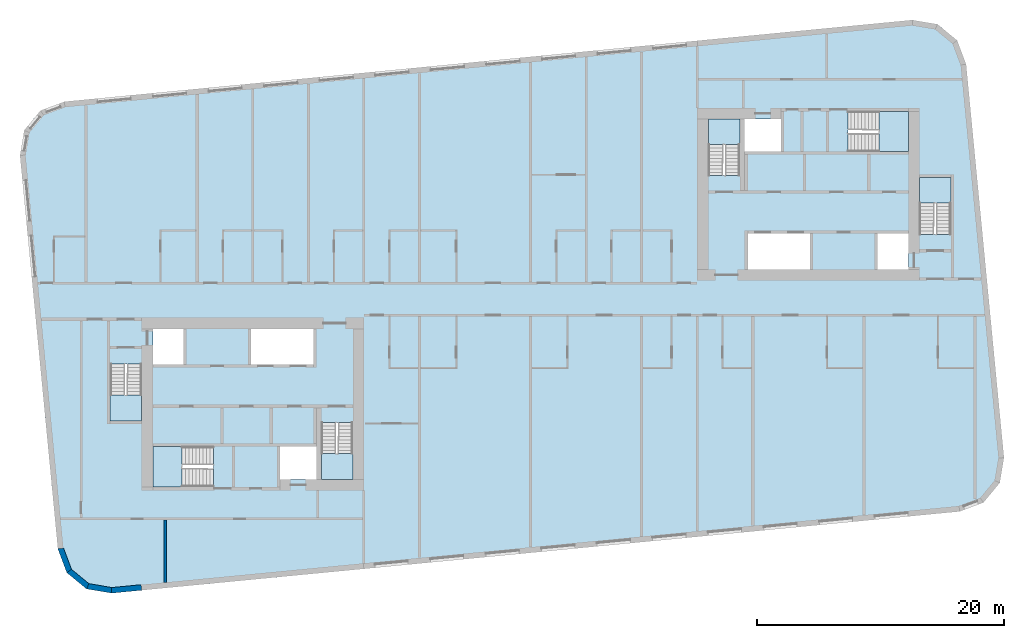
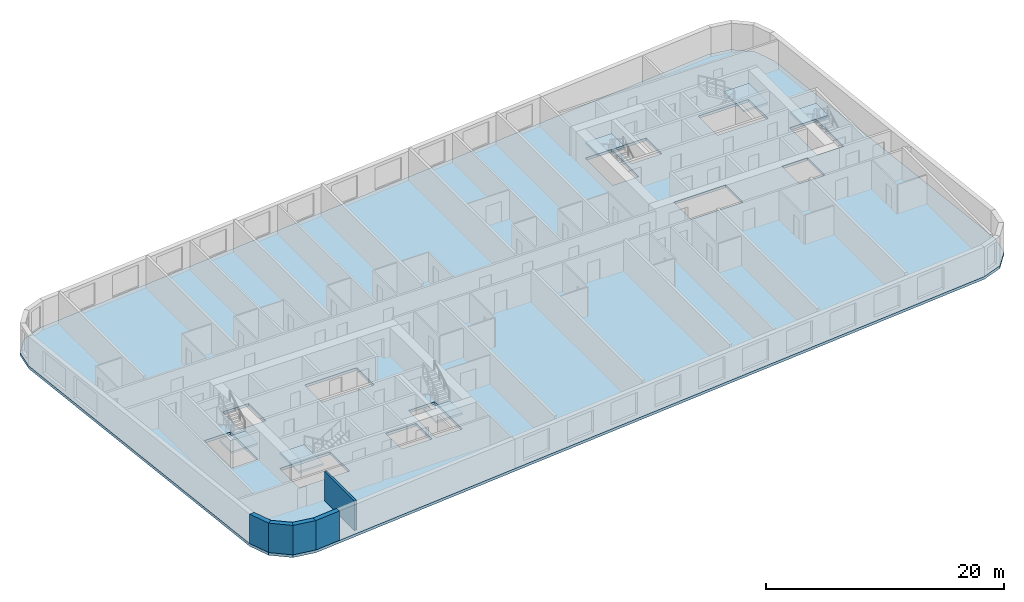
# One storey, part 1 of 11: 7 slabs, 5 walls, 6 elements without a shape of their own.
"""IFC4 building model written with IfcOpenShell, lengths in metres."""

from ifc_helpers import new_model, si_unit, direction, frame, frame_2d, origin, place, context, subcontext, project, spatial, polyline, rectangle, outline, extrude, material, layer, layer_set, type_object, element, aggregate, save


model = new_model("IFC4")

# Units and contexts
model_context = context("Model", 3, precision=1e-05, world=origin(), true_north=direction((0.0, 1.0)))
body_context = subcontext(model_context, "Body", "Model", "MODEL_VIEW")
ifc_project = project(units=[si_unit("LENGTHUNIT", "METRE"), si_unit("AREAUNIT", "SQUARE_METRE"), si_unit("VOLUMEUNIT", "CUBIC_METRE"), si_unit("PLANEANGLEUNIT", "RADIAN"), si_unit("MASSUNIT", "GRAM", prefix="KILO")], contexts=[model_context])

# Site, building, storey
site_placement = place(None, origin())
site = spatial("IfcSite", under=ifc_project, at=site_placement, CompositionType="ELEMENT")
building_placement = place(site_placement, origin())
building = spatial("IfcBuilding", under=site, at=building_placement, Name="Kajstack Hotel Tower", CompositionType="ELEMENT")
storey_placement = place(building_placement, frame((0.0, 0.0, 291.60009765625)))
storey = spatial("IfcBuildingStorey", under=building, at=storey_placement, Name="L73", CompositionType="ELEMENT", Elevation=291.60009765625)

# Slab
ifc_material_1 = material(Name="Concrete C40/50", Category="concrete")
ifc_layer_1 = layer(ifc_material_1, 0.280029296875)
ifc_layer_set_1 = layer_set([ifc_layer_1], Name="RC slab 280 C40/50 guest")
slab_type_1 = type_object("IfcSlabType", Name="RC slab 280 C40/50 guest", PredefinedType="FLOOR", material=ifc_layer_set_1)
slab_1_placement = place(storey_placement, frame((0.0, 0.0, -0.280029296875)))
element("IfcSlab", 1, at=slab_1_placement, inside=storey, type_object=slab_type_1, Name="S-slab-L73", PredefinedType="FLOOR", context=body_context, shape_type="SweptSolid", body=[
    extrude(outline(polyline([(-41.356201171875, 11.63623046875), (-38.289306640625, -20.21630859375), (-37.564208984375, -22.15576171875), (-35.96630859375, -23.472900390625), (-33.92431640625, -23.814697265625), (34.758056640625, -17.201171875), (36.697509765625, -16.47607421875), (38.014404296875, -14.87841796875), (38.356201171875, -12.836181640625), (35.289306640625, 19.016357421875), (34.564208984375, 20.955810546875), (32.96630859375, 22.27294921875), (30.92431640625, 22.614501953125), (-37.758056640625, 16.001220703125), (-39.697509765625, 15.276123046875), (-41.014404296875, 13.678466796875), (-41.356201171875, 11.63623046875)]), holes=[polyline([(-22.64990234375, -5.300048828125), (-22.64990234375, -2.39990234375), (-17.60009765625, -2.39990234375), (-17.60009765625, -5.300048828125), (-22.64990234375, -5.300048828125)]), polyline([(-20.300048828125, -14.60009765625), (-17.35009765625, -14.60009765625), (-17.35009765625, -11.949951171875), (-20.300048828125, -11.949951171875), (-20.300048828125, -14.60009765625)]), polyline([(-30.60009765625, -5.300048828125), (-28.10009765625, -5.300048828125), (-28.10009765625, -2.39990234375), (-30.60009765625, -2.39990234375), (-30.60009765625, -5.300048828125)]), polyline([(17.60009765625, 2.39990234375), (17.60009765625, 5.300048828125), (22.64990234375, 5.300048828125), (22.64990234375, 2.39990234375), (17.60009765625, 2.39990234375)]), polyline([(20.300048828125, 14.60009765625), (17.35009765625, 14.60009765625), (17.35009765625, 11.949951171875), (20.300048828125, 11.949951171875), (20.300048828125, 14.60009765625)]), polyline([(30.60009765625, 5.300048828125), (28.10009765625, 5.300048828125), (28.10009765625, 2.39990234375), (30.60009765625, 2.39990234375), (30.60009765625, 5.300048828125)]), polyline([(-34.050048828125, -9.85009765625), (-31.5, -9.85009765625), (-31.5, -5.25), (-34.050048828125, -5.25), (-34.050048828125, -9.85009765625)]), polyline([(-16.949951171875, -14.60009765625), (-14.39990234375, -14.60009765625), (-14.39990234375, -10.0), (-16.949951171875, -10.0), (-16.949951171875, -14.60009765625)]), polyline([(-30.60009765625, -15.199951171875), (-25.699951171875, -15.199951171875), (-25.699951171875, -11.949951171875), (-30.60009765625, -11.949951171875), (-30.60009765625, -15.199951171875)]), polyline([(34.050048828125, 9.85009765625), (31.5, 9.85009765625), (31.5, 5.25), (34.050048828125, 5.25), (34.050048828125, 9.85009765625)]), polyline([(16.949951171875, 14.60009765625), (14.39990234375, 14.60009765625), (14.39990234375, 10.0), (16.949951171875, 10.0), (16.949951171875, 14.60009765625)]), polyline([(30.60009765625, 15.199951171875), (25.699951171875, 15.199951171875), (25.699951171875, 11.949951171875), (30.60009765625, 11.949951171875), (30.60009765625, 15.199951171875)])]), origin(), (0.0, 0.0, 1.0), 0.280029296875),
])

# Stair, slab
stair_type_1 = type_object("IfcStairType", Name="Exit stair 1200", PredefinedType="HALF_TURN_STAIR", material=ifc_material_1)
stair_1_placement = place(storey_placement, origin())
stair_1 = element("IfcStair", 2, at=stair_1_placement, inside=storey, type_object=stair_type_1, Name="L73 stair W1", PredefinedType="HALF_TURN_STAIR")
ifc_layer_2 = layer(ifc_material_1, 0.199951171875)
ifc_layer_set_2 = layer_set([ifc_layer_2], Name="Stair landing 200")
slab_type_2 = type_object("IfcSlabType", Name="Stair landing 200", PredefinedType="LANDING", material=ifc_layer_set_2)
slab_2_placement = place(storey_placement, frame((0.0, 0.0, 1.449951171875)))
slab_2 = element("IfcSlab", 3, at=slab_2_placement, type_object=slab_type_2, Name="W1 landing 1", PredefinedType="LANDING", context=body_context, shape_type="SweptSolid", body=[
    extrude(outline(polyline([(-34.050048828125, -7.77001953125), (-34.050048828125, -9.85009765625), (-31.5, -9.85009765625), (-31.5, -7.77001953125), (-34.050048828125, -7.77001953125)])), origin(), (0.0, 0.0, 1.0), 0.199951171875),
])
aggregate(stair_1, [slab_2])

stair_2_placement = place(storey_placement, origin())
stair_2 = element("IfcStair", 4, at=stair_2_placement, inside=storey, type_object=stair_type_1, Name="L73 stair W2", PredefinedType="HALF_TURN_STAIR")
slab_3_placement = place(storey_placement, frame((0.0, 0.0, 1.449951171875)))
slab_3 = element("IfcSlab", 5, at=slab_3_placement, type_object=slab_type_2, Name="W2 landing 1", PredefinedType="LANDING", context=body_context, shape_type="SweptSolid", body=[
    extrude(outline(polyline([(-16.949951171875, -12.52001953125), (-16.949951171875, -14.60009765625), (-14.39990234375, -14.60009765625), (-14.39990234375, -12.52001953125), (-16.949951171875, -12.52001953125)])), origin(), (0.0, 0.0, 1.0), 0.199951171875),
])
aggregate(stair_2, [slab_3])

stair_type_2 = type_object("IfcStairType", Name="Exit stair 1500", PredefinedType="HALF_TURN_STAIR", material=ifc_material_1)
stair_3_placement = place(storey_placement, origin())
stair_3 = element("IfcStair", 6, at=stair_3_placement, inside=storey, type_object=stair_type_2, Name="L73 stair W3", PredefinedType="HALF_TURN_STAIR")
slab_4_placement = place(storey_placement, frame((0.0, 0.0, 1.449951171875)))
slab_4 = element("IfcSlab", 7, at=slab_4_placement, type_object=slab_type_2, Name="W3 landing 1", PredefinedType="LANDING", context=body_context, shape_type="SweptSolid", body=[
    extrude(outline(polyline([(-28.219970703125, -11.949951171875), (-30.60009765625, -11.949951171875), (-30.60009765625, -15.199951171875), (-28.219970703125, -15.199951171875), (-28.219970703125, -11.949951171875)])), origin(), (0.0, 0.0, 1.0), 0.199951171875),
])
aggregate(stair_3, [slab_4])

stair_4_placement = place(storey_placement, origin())
stair_4 = element("IfcStair", 8, at=stair_4_placement, inside=storey, type_object=stair_type_1, Name="L73 stair E1", PredefinedType="HALF_TURN_STAIR")
slab_5_placement = place(storey_placement, frame((0.0, 0.0, 1.449951171875)))
slab_5 = element("IfcSlab", 9, at=slab_5_placement, type_object=slab_type_2, Name="E1 landing 1", PredefinedType="LANDING", context=body_context, shape_type="SweptSolid", body=[
    extrude(outline(polyline([(34.050048828125, 7.77001953125), (34.050048828125, 9.85009765625), (31.5, 9.85009765625), (31.5, 7.77001953125), (34.050048828125, 7.77001953125)])), origin(), (0.0, 0.0, 1.0), 0.199951171875),
])
aggregate(stair_4, [slab_5])

stair_5_placement = place(storey_placement, origin())
stair_5 = element("IfcStair", 10, at=stair_5_placement, inside=storey, type_object=stair_type_1, Name="L73 stair E2", PredefinedType="HALF_TURN_STAIR")
slab_6_placement = place(storey_placement, frame((0.0, 0.0, 1.449951171875)))
slab_6 = element("IfcSlab", 11, at=slab_6_placement, type_object=slab_type_2, Name="E2 landing 1", PredefinedType="LANDING", context=body_context, shape_type="SweptSolid", body=[
    extrude(outline(polyline([(16.949951171875, 12.52001953125), (16.949951171875, 14.60009765625), (14.39990234375, 14.60009765625), (14.39990234375, 12.52001953125), (16.949951171875, 12.52001953125)])), origin(), (0.0, 0.0, 1.0), 0.199951171875),
])
aggregate(stair_5, [slab_6])

stair_6_placement = place(storey_placement, origin())
stair_6 = element("IfcStair", 12, at=stair_6_placement, inside=storey, type_object=stair_type_2, Name="L73 stair E3", PredefinedType="HALF_TURN_STAIR")
slab_7_placement = place(storey_placement, frame((0.0, 0.0, 1.449951171875)))
slab_7 = element("IfcSlab", 13, at=slab_7_placement, type_object=slab_type_2, Name="E3 landing 1", PredefinedType="LANDING", context=body_context, shape_type="SweptSolid", body=[
    extrude(outline(polyline([(28.219970703125, 11.949951171875), (30.60009765625, 11.949951171875), (30.60009765625, 15.199951171875), (28.219970703125, 15.199951171875), (28.219970703125, 11.949951171875)])), origin(), (0.0, 0.0, 1.0), 0.199951171875),
])
aggregate(stair_6, [slab_7])

# Walls
ifc_material_2 = material(Name="Terracotta-faced brick masonry", Category="masonry")
ifc_layer_3 = layer(ifc_material_2, 0.449951171875)
ifc_layer_set_3 = layer_set([ifc_layer_3], Name="EW-TERRA")
wall_type_1 = type_object("IfcWallType", Name="EW-TERRA", PredefinedType="SOLIDWALL", material=ifc_layer_set_3)
wall_1_placement = place(storey_placement, frame((-38.078369140625, -20.1376953125, 0.0), z_axis=(0.0, 0.0, 1.0), x_axis=(0.350231589928, -0.936663137642, 0.0)))
element("IfcWall", 14, at=wall_1_placement, inside=storey, type_object=wall_type_1, Name="E-wall-L73-01-00", PredefinedType="SOLIDWALL", context=body_context, shape_type="SweptSolid", body=[
    extrude(outline(polyline([(0.0, -0.22509765625), (2.0703125, -0.22509765625), (1.949951171875, 0.224853515625), (0.120361328125, 0.224853515625), (0.0, -0.22509765625)])), origin(), (0.0, 0.0, 1.0), 3.02001953125),
])
wall_2_placement = place(storey_placement, frame((-37.4208984375, -21.982177734375, 0.0), z_axis=(0.0, 0.0, 1.0), x_axis=(0.771593176315, -0.636116318187, 0.0)))
element("IfcWall", 15, at=wall_2_placement, inside=storey, type_object=wall_type_1, Name="E-wall-L73-02-00", PredefinedType="SOLIDWALL", context=body_context, shape_type="SweptSolid", body=[
    extrude(outline(polyline([(0.0, -0.22509765625), (2.070556640625, -0.22509765625), (1.949951171875, 0.22509765625), (0.12060546875, 0.224853515625), (0.0, -0.22509765625)])), origin(), (0.0, 0.0, 1.0), 3.02001953125),
])
wall_3_placement = place(storey_placement, frame((-35.92919921875, -23.2509765625, 0.0), z_axis=(0.0, 0.0, 1.0), x_axis=(0.986278951104, -0.165087342366, 0.0)))
element("IfcWall", 16, at=wall_3_placement, inside=storey, type_object=wall_type_1, Name="E-wall-L73-03-00", PredefinedType="SOLIDWALL", context=body_context, shape_type="SweptSolid", body=[
    extrude(outline(polyline([(0.0, -0.22509765625), (2.070556640625, -0.224853515625), (1.949951171875, 0.22509765625), (0.12060546875, 0.22509765625), (0.0, -0.22509765625)])), origin(), (0.0, 0.0, 1.0), 3.02001953125),
])
wall_4_placement = place(storey_placement, frame((-33.94580078125, -23.590576171875, 0.0), z_axis=(0.0, 0.0, 1.0), x_axis=(0.995397635156, 0.095830829729, 0.0)))
element("IfcWall", 17, at=wall_4_placement, inside=storey, type_object=wall_type_1, Name="E-wall-L73-04-00", PredefinedType="SOLIDWALL", context=body_context, shape_type="SweptSolid", body=[
    extrude(rectangle(XDim=2.435546875, YDim=0.449951171875, at=frame_2d((1.2177734375, 0.0))), origin(), (0.0, 0.0, 1.0), 3.02001953125),
])
ifc_material_3 = material(Name="Gypsum board on steel studs, mineral wool", Category="steel")
ifc_layer_4 = layer(ifc_material_3, 0.199951171875)
ifc_layer_set_4 = layer_set([ifc_layer_4], Name="Service partition 200")
wall_type_2 = type_object("IfcWallType", Name="Service partition 200", PredefinedType="PARTITIONING", material=ifc_layer_set_4)
wall_5_placement = place(storey_placement, frame((-29.60009765625, -22.947021484375, 0.0), z_axis=(0.0, 0.0, 1.0), x_axis=(0.0, 1.0, 0.0)))
element("IfcWall", 18, at=wall_5_placement, inside=storey, type_object=wall_type_2, Name="Partition W SLP0", PredefinedType="PARTITIONING", context=body_context, shape_type="SweptSolid", body=[
    extrude(rectangle(XDim=5.047119140625, YDim=0.199951171875, at=frame_2d((2.5234375, 0.0))), origin(), (0.0, 0.0, 1.0), 3.02001953125),
])

save(model, "model.ifc")
